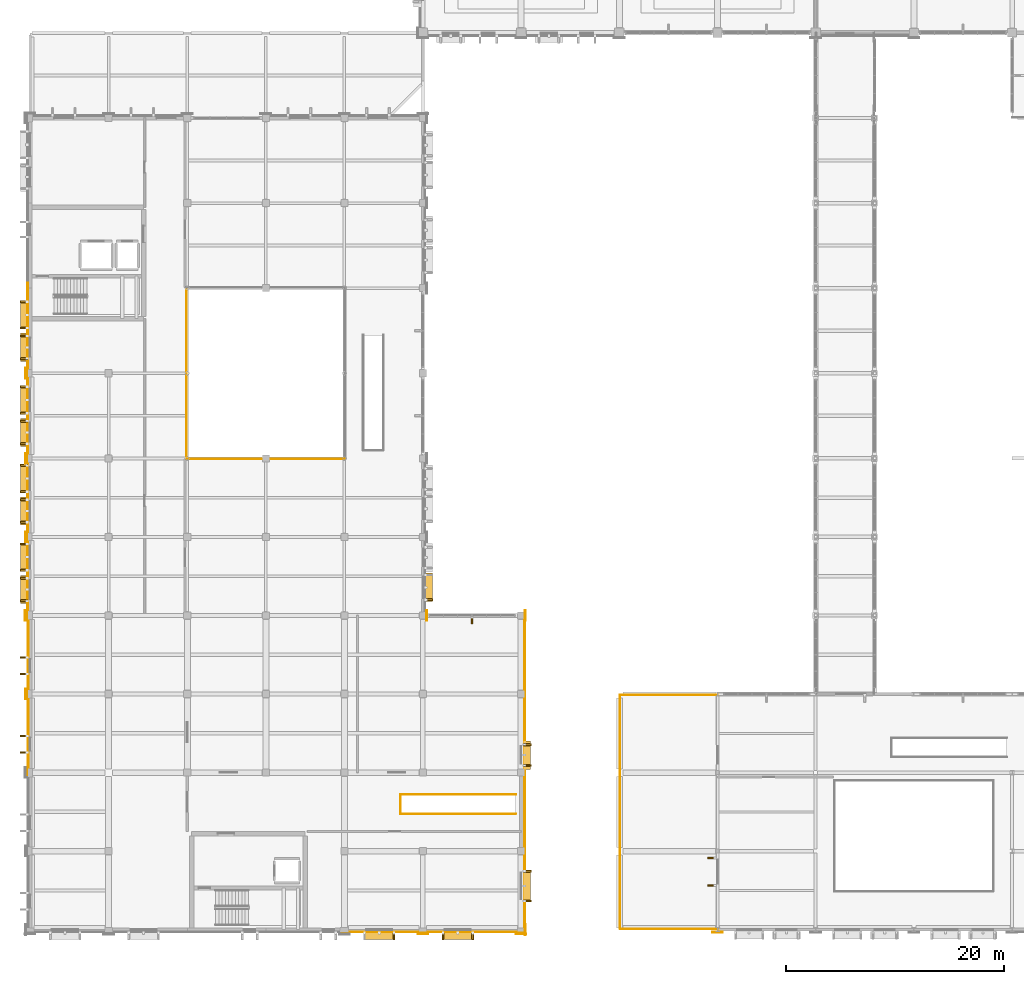
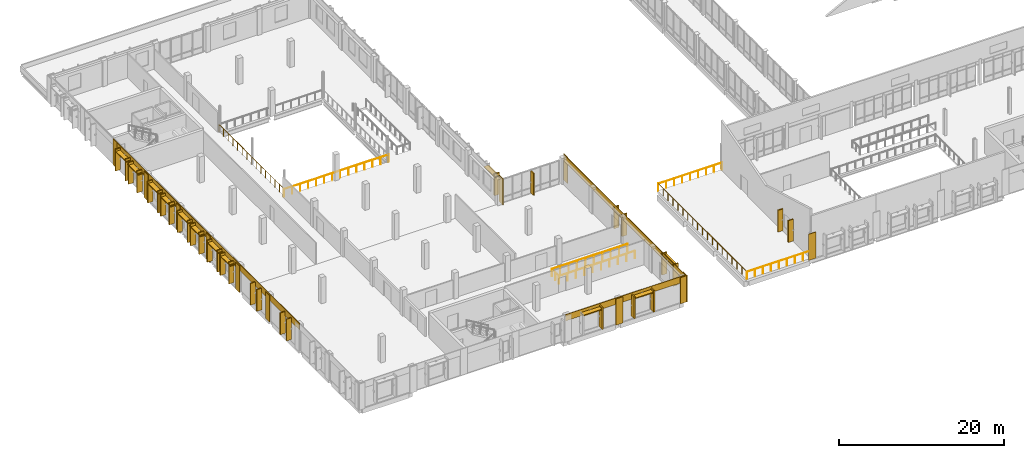
# One storey, part 72 of 85: 44 shading devices, 21 coverings, 8 railings.
"""IFC4 building model written with IfcOpenShell, lengths in metres."""

from ifc_helpers import new_model, si_unit, direction, frame, origin, origin_2d, place, context, subcontext, project, spatial, rectangle, circle, extrude, material, layer, layer_set, type_object, element, save


model = new_model("IFC4")

# Units and contexts
model_context = context("Model", 3, precision=1e-05, world=origin(), true_north=direction((0.0, 1.0)))
body_context = subcontext(model_context, "Body", "Model", "MODEL_VIEW")
ifc_project = project(units=[si_unit("LENGTHUNIT", "METRE"), si_unit("AREAUNIT", "SQUARE_METRE"), si_unit("VOLUMEUNIT", "CUBIC_METRE"), si_unit("PLANEANGLEUNIT", "RADIAN"), si_unit("MASSUNIT", "GRAM", prefix="KILO")], contexts=[model_context])

# Site, building, storey
site_placement = place(None, origin())
site = spatial("IfcSite", under=ifc_project, at=site_placement, CompositionType="ELEMENT")
building_placement = place(site_placement, origin())
building = spatial("IfcBuilding", under=site, at=building_placement, Name="Vervanel Yard Central Library", CompositionType="ELEMENT")
storey_placement = place(building_placement, frame((0.0, 0.0, 5.10009765625)))
storey = spatial("IfcBuildingStorey", under=building, at=storey_placement, Name="L01", CompositionType="ELEMENT", Elevation=5.10009765625)

# Coverings
ifc_material_1 = material(Name="Precast concrete C45/55", Category="concrete")
ifc_layer = layer(ifc_material_1, 0.0849609375, Category="concrete")
ifc_layer_set = layer_set([ifc_layer], Name="Precast concrete C45/55")
covering_type = type_object("IfcCoveringType", Name="Bush-Hammered Precast Architectural Cladding Panel", PredefinedType="CLADDING", material=ifc_layer_set)
covering_1_placement = place(storey_placement, frame((-0.2099609375, 32.39990234375, 2.93017578125), z_axis=(0.0, 0.0, 1.0), x_axis=(0.0, 1.0, 0.0)))
element("IfcCovering", 1, at=covering_1_placement, inside=storey, type_object=covering_type, Name="L01 Precast Concrete Spandrel Cornice EWALL-L01-0098", PredefinedType="CLADDING", context=body_context, shape_type="SweptSolid", body=[
    extrude(rectangle(XDim=7.64990234375, YDim=0.0849609375, at=origin_2d()), origin(), (0.0, 0.0, 1.0), 0.929931640625),
])
for number, where, z_axis, x_axis, name in (
    (2, (-0.4326171875, 28.800048828125, 0.0), (0.0, 0.0, 1.0), (0.0, 1.0, 0.0), "L01 Precast Concrete Pier Pilaster EWALL-L01-0098-A"),
    (3, (-0.392578125, 36.0, 0.0), (0.0, 0.0, 1.0), (0.0, 1.0, 0.0), "L01 Precast Concrete Pier Pilaster EWALL-L01-0098-B"),
):
    element("IfcCovering", number, at=place(storey_placement, frame(where, z_axis=z_axis, x_axis=x_axis)), inside=storey, type_object=covering_type, Name=name, PredefinedType="CLADDING", context=body_context, shape_type="SweptSolid", body=[
        extrude(rectangle(XDim=0.97998046875, YDim=0.0849609375, at=origin_2d()), origin(), (0.0, 0.0, 1.0), 3.860107421875),
    ])
covering_2_placement = place(storey_placement, frame((-0.2099609375, 39.60009765625, 2.93017578125), z_axis=(0.0, 0.0, 1.0), x_axis=(0.0, 1.0, 0.0)))
element("IfcCovering", 4, at=covering_2_placement, inside=storey, type_object=covering_type, Name="L01 Precast Concrete Spandrel Cornice EWALL-L01-0099", PredefinedType="CLADDING", context=body_context, shape_type="SweptSolid", body=[
    extrude(rectangle(XDim=7.64990234375, YDim=0.0849609375, at=origin_2d()), origin(), (0.0, 0.0, 1.0), 0.929931640625),
])
covering_3_placement = place(storey_placement, frame((-0.402587890625, 43.199951171875, 0.0), z_axis=(0.0, 0.0, 1.0), x_axis=(0.0, 1.0, 0.0)))
element("IfcCovering", 5, at=covering_3_placement, inside=storey, type_object=covering_type, Name="L01 Precast Concrete Pier Pilaster EWALL-L01-0099-B", PredefinedType="CLADDING", context=body_context, shape_type="SweptSolid", body=[
    extrude(rectangle(XDim=0.97998046875, YDim=0.0849609375, at=origin_2d()), origin(), (0.0, 0.0, 1.0), 3.860107421875),
])
covering_4_placement = place(storey_placement, frame((-0.2099609375, 47.10009765625, 2.93017578125), z_axis=(0.0, 0.0, 1.0), x_axis=(0.0, 1.0, 0.0)))
element("IfcCovering", 6, at=covering_4_placement, inside=storey, type_object=covering_type, Name="L01 Precast Concrete Spandrel Cornice EWALL-L01-0100", PredefinedType="CLADDING", context=body_context, shape_type="SweptSolid", body=[
    extrude(rectangle(XDim=8.25, YDim=0.0849609375, at=origin_2d()), origin(), (0.0, 0.0, 1.0), 0.929931640625),
])
covering_5_placement = place(storey_placement, frame((-0.392578125, 51.0, 0.0), z_axis=(0.0, 0.0, 1.0), x_axis=(0.0, 1.0, 0.0)))
element("IfcCovering", 7, at=covering_5_placement, inside=storey, type_object=covering_type, Name="L01 Precast Concrete Pier Pilaster EWALL-L01-0100-B", PredefinedType="CLADDING", context=body_context, shape_type="SweptSolid", body=[
    extrude(rectangle(XDim=0.97998046875, YDim=0.0849609375, at=origin_2d()), origin(), (0.0, 0.0, 1.0), 3.860107421875),
])
covering_6_placement = place(storey_placement, frame((-0.2099609375, 54.89990234375, 2.93017578125), z_axis=(0.0, 0.0, 1.0), x_axis=(0.0, 1.0, 0.0)))
element("IfcCovering", 8, at=covering_6_placement, inside=storey, type_object=covering_type, Name="L01 Precast Concrete Spandrel Cornice EWALL-L01-0101", PredefinedType="CLADDING", context=body_context, shape_type="SweptSolid", body=[
    extrude(rectangle(XDim=8.25, YDim=0.0849609375, at=origin_2d()), origin(), (0.0, 0.0, 1.0), 0.929931640625),
])
for number, where, z_axis, x_axis, name in (
    (9, (-0.21240234375, 58.800048828125, 0.0), (0.0, 0.0, 1.0), (0.0, 1.0, 0.0), "L01 Precast Concrete Pier Pilaster EWALL-L01-0101-B"),
    (10, (36.367431640625, 28.800048828125, 0.0), (0.0, 0.0, 1.0), (0.0, 1.0, 0.0), "L01 Precast Concrete Pier Pilaster EWALL-L01-0104-A"),
    (11, (63.0, -0.226806640625, 0.0), (0.0, 0.0, 1.0), (1.0, 0.0, 0.0), "L01 Precast Concrete Pier Pilaster EWALL-L01-0200-A"),
):
    element("IfcCovering", number, at=place(storey_placement, frame(where, z_axis=z_axis, x_axis=x_axis)), inside=storey, type_object=covering_type, Name=name, PredefinedType="CLADDING", context=body_context, shape_type="SweptSolid", body=[
        extrude(rectangle(XDim=0.97998046875, YDim=0.0849609375, at=origin_2d()), origin(), (0.0, 0.0, 1.0), 3.860107421875),
    ])
covering_7_placement = place(storey_placement, frame((32.39990234375, -0.2099609375, 2.93017578125), z_axis=(0.0, 0.0, 1.0), x_axis=(1.0, 0.0, 0.0)))
element("IfcCovering", 12, at=covering_7_placement, inside=storey, type_object=covering_type, Name="L01 Precast Concrete Spandrel Cornice EWALL-L01-0226", PredefinedType="CLADDING", context=body_context, shape_type="SweptSolid", body=[
    extrude(rectangle(XDim=7.64990234375, YDim=0.0849609375, at=origin_2d()), origin(), (0.0, 0.0, 1.0), 0.929931640625),
])
covering_8_placement = place(storey_placement, frame((36.0, -0.392578125, 0.0), z_axis=(0.0, 0.0, 1.0), x_axis=(1.0, 0.0, 0.0)))
element("IfcCovering", 13, at=covering_8_placement, inside=storey, type_object=covering_type, Name="L01 Precast Concrete Pier Pilaster EWALL-L01-0226-B", PredefinedType="CLADDING", context=body_context, shape_type="SweptSolid", body=[
    extrude(rectangle(XDim=0.97998046875, YDim=0.0849609375, at=origin_2d()), origin(), (0.0, 0.0, 1.0), 3.860107421875),
])
covering_9_placement = place(storey_placement, frame((40.5, -0.2099609375, 2.93017578125), z_axis=(0.0, 0.0, 1.0), x_axis=(1.0, 0.0, 0.0)))
element("IfcCovering", 14, at=covering_9_placement, inside=storey, type_object=covering_type, Name="L01 Precast Concrete Spandrel Cornice EWALL-L01-0227", PredefinedType="CLADDING", context=body_context, shape_type="SweptSolid", body=[
    extrude(rectangle(XDim=9.449951171875, YDim=0.0849609375, at=origin_2d()), origin(), (0.0, 0.0, 1.0), 0.929931640625),
])
covering_10_placement = place(storey_placement, frame((45.0, -0.392578125, 0.0), z_axis=(0.0, 0.0, 1.0), x_axis=(1.0, 0.0, 0.0)))
element("IfcCovering", 15, at=covering_10_placement, inside=storey, type_object=covering_type, Name="L01 Precast Concrete Pier Pilaster EWALL-L01-0227-B", PredefinedType="CLADDING", context=body_context, shape_type="SweptSolid", body=[
    extrude(rectangle(XDim=0.97998046875, YDim=0.0849609375, at=origin_2d()), origin(), (0.0, 0.0, 1.0), 3.860107421875),
])
covering_11_placement = place(storey_placement, frame((-0.18994140625, 18.0, 2.93017578125), z_axis=(0.0, 0.0, 1.0), x_axis=(0.0, 1.0, 0.0)))
element("IfcCovering", 16, at=covering_11_placement, inside=storey, type_object=covering_type, Name="L01 Precast Concrete Spandrel Cornice EWALL-L01-0230", PredefinedType="CLADDING", context=body_context, shape_type="SweptSolid", body=[
    extrude(rectangle(XDim=7.64990234375, YDim=0.0849609375, at=origin_2d()), origin(), (0.0, 0.0, 1.0), 0.929931640625),
])
covering_12_placement = place(storey_placement, frame((-0.402587890625, 21.60009765625, 0.0), z_axis=(0.0, 0.0, 1.0), x_axis=(0.0, 1.0, 0.0)))
element("IfcCovering", 17, at=covering_12_placement, inside=storey, type_object=covering_type, Name="L01 Precast Concrete Pier Pilaster EWALL-L01-0230-B", PredefinedType="CLADDING", context=body_context, shape_type="SweptSolid", body=[
    extrude(rectangle(XDim=0.97998046875, YDim=0.0849609375, at=origin_2d()), origin(), (0.0, 0.0, 1.0), 3.860107421875),
])
covering_13_placement = place(storey_placement, frame((-0.18994140625, 25.199951171875, 2.93017578125), z_axis=(0.0, 0.0, 1.0), x_axis=(0.0, 1.0, 0.0)))
element("IfcCovering", 18, at=covering_13_placement, inside=storey, type_object=covering_type, Name="L01 Precast Concrete Spandrel Cornice EWALL-L01-0231", PredefinedType="CLADDING", context=body_context, shape_type="SweptSolid", body=[
    extrude(rectangle(XDim=7.64990234375, YDim=0.0849609375, at=origin_2d()), origin(), (0.0, 0.0, 1.0), 0.929931640625),
])
covering_14_placement = place(storey_placement, frame((45.31494140625, 14.39990234375, 2.93017578125), z_axis=(0.0, 0.0, 1.0), x_axis=(0.0, 1.0, 0.0)))
element("IfcCovering", 19, at=covering_14_placement, inside=storey, type_object=covering_type, Name="L01 Precast Concrete Spandrel Cornice EWALL-L01-0232", PredefinedType="CLADDING", context=body_context, shape_type="SweptSolid", body=[
    extrude(rectangle(XDim=29.25, YDim=0.0849609375, at=origin_2d()), origin(), (0.0, 0.0, 1.0), 0.929931640625),
])
for number, where, z_axis, x_axis, name in (
    (20, (45.392578125, 0.0, 0.0), (0.0, 0.0, 1.0), (0.0, 1.0, 0.0), "L01 Precast Concrete Pier Pilaster EWALL-L01-0232-A"),
    (21, (45.367431640625, 28.800048828125, 0.0), (0.0, 0.0, 1.0), (0.0, 1.0, 0.0), "L01 Precast Concrete Pier Pilaster EWALL-L01-0232-B"),
):
    element("IfcCovering", number, at=place(storey_placement, frame(where, z_axis=z_axis, x_axis=x_axis)), inside=storey, type_object=covering_type, Name=name, PredefinedType="CLADDING", context=body_context, shape_type="SweptSolid", body=[
        extrude(rectangle(XDim=0.97998046875, YDim=0.0849609375, at=origin_2d()), origin(), (0.0, 0.0, 1.0), 3.860107421875),
    ])

# Railings
ifc_material_2 = material(Name="Brushed stainless steel AISI 316", Category="steel")
railing_type_1 = type_object("IfcRailingType", Name="Exterior Terrace Guardrail 1100", PredefinedType="GUARDRAIL", material=ifc_material_2)
railing_1_placement = place(storey_placement, frame((54.080078125, 0.080078125, 0.0)))
element("IfcRailing", 22, at=railing_1_placement, inside=storey, type_object=railing_type_1, Name="L01 L01 Children's Planted Roof Garden Terrace Edge Guard 18", PredefinedType="GUARDRAIL", context=body_context, shape_type="SweptSolid", body=[
    extrude(circle(Radius=0.02392578125, at=origin_2d()), frame((0.0, 0.0, 1.076171875), z_axis=(1.0, 0.0, 0.0), x_axis=(0.0, 1.0, 0.0)), (0.0, 0.0, 1.0), 8.919921875),
    extrude(circle(Radius=0.02099609375, at=origin_2d()), origin(), (0.0, 0.0, 1.0), 1.052001953125),
    extrude(circle(Radius=0.02099609375, at=origin_2d()), frame((1.114990234375, 0.0, 0.0)), (0.0, 0.0, 1.0), 1.052001953125),
    extrude(circle(Radius=0.02099609375, at=origin_2d()), frame((2.22998046875, 0.0, 0.0)), (0.0, 0.0, 1.0), 1.052001953125),
    extrude(circle(Radius=0.02099609375, at=origin_2d()), frame((3.344970703125, 0.0, 0.0)), (0.0, 0.0, 1.0), 1.052001953125),
    extrude(circle(Radius=0.02099609375, at=origin_2d()), frame((4.4599609375, 0.0, 0.0)), (0.0, 0.0, 1.0), 1.052001953125),
    extrude(circle(Radius=0.02099609375, at=origin_2d()), frame((5.574951171875, 0.0, 0.0)), (0.0, 0.0, 1.0), 1.052001953125),
    extrude(circle(Radius=0.02099609375, at=origin_2d()), frame((6.68994140625, 0.0, 0.0)), (0.0, 0.0, 1.0), 1.052001953125),
    extrude(circle(Radius=0.02099609375, at=origin_2d()), frame((7.804931640625, 0.0, 0.0)), (0.0, 0.0, 1.0), 1.052001953125),
    extrude(circle(Radius=0.02099609375, at=origin_2d()), frame((8.919921875, 0.0, 0.0)), (0.0, 0.0, 1.0), 1.052001953125),
])
railing_2_placement = place(storey_placement, frame((54.080078125, 0.080078125, 0.0)))
element("IfcRailing", 23, at=railing_2_placement, inside=storey, type_object=railing_type_1, Name="L01 L01 Children's Planted Roof Garden Terrace Edge Guard 19", PredefinedType="GUARDRAIL", context=body_context, shape_type="SweptSolid", body=[
    extrude(circle(Radius=0.02392578125, at=origin_2d()), frame((0.0, 0.0, 1.076171875), z_axis=(0.0, 1.0, 0.0), x_axis=(-1.0, 0.0, 0.0)), (0.0, 0.0, 1.0), 21.43994140625),
    extrude(circle(Radius=0.02099609375, at=origin_2d()), origin(), (0.0, 0.0, 1.0), 1.052001953125),
    extrude(circle(Radius=0.02099609375, at=origin_2d()), frame((0.0, 1.191162109375, 0.0)), (0.0, 0.0, 1.0), 1.052001953125),
    extrude(circle(Radius=0.02099609375, at=origin_2d()), frame((0.0, 2.38232421875, 0.0)), (0.0, 0.0, 1.0), 1.052001953125),
    extrude(circle(Radius=0.02099609375, at=origin_2d()), frame((0.0, 3.5732421875, 0.0)), (0.0, 0.0, 1.0), 1.052001953125),
    extrude(circle(Radius=0.02099609375, at=origin_2d()), frame((0.0, 4.764404296875, 0.0)), (0.0, 0.0, 1.0), 1.052001953125),
    extrude(circle(Radius=0.02099609375, at=origin_2d()), frame((0.0, 5.95556640625, 0.0)), (0.0, 0.0, 1.0), 1.052001953125),
    extrude(circle(Radius=0.02099609375, at=origin_2d()), frame((0.0, 7.146728515625, 0.0)), (0.0, 0.0, 1.0), 1.052001953125),
    extrude(circle(Radius=0.02099609375, at=origin_2d()), frame((0.0, 8.337646484375, 0.0)), (0.0, 0.0, 1.0), 1.052001953125),
    extrude(circle(Radius=0.02099609375, at=origin_2d()), frame((0.0, 9.52880859375, 0.0)), (0.0, 0.0, 1.0), 1.052001953125),
    extrude(circle(Radius=0.02099609375, at=origin_2d()), frame((0.0, 10.719970703125, 0.0)), (0.0, 0.0, 1.0), 1.052001953125),
    extrude(circle(Radius=0.02099609375, at=origin_2d()), frame((0.0, 11.9111328125, 0.0)), (0.0, 0.0, 1.0), 1.052001953125),
    extrude(circle(Radius=0.02099609375, at=origin_2d()), frame((0.0, 13.102294921875, 0.0)), (0.0, 0.0, 1.0), 1.052001953125),
    extrude(circle(Radius=0.02099609375, at=origin_2d()), frame((0.0, 14.293212890625, 0.0)), (0.0, 0.0, 1.0), 1.052001953125),
    extrude(circle(Radius=0.02099609375, at=origin_2d()), frame((0.0, 15.484375, 0.0)), (0.0, 0.0, 1.0), 1.052001953125),
    extrude(circle(Radius=0.02099609375, at=origin_2d()), frame((0.0, 16.675537109375, 0.0)), (0.0, 0.0, 1.0), 1.052001953125),
    extrude(circle(Radius=0.02099609375, at=origin_2d()), frame((0.0, 17.86669921875, 0.0)), (0.0, 0.0, 1.0), 1.052001953125),
    extrude(circle(Radius=0.02099609375, at=origin_2d()), frame((0.0, 19.0576171875, 0.0)), (0.0, 0.0, 1.0), 1.052001953125),
    extrude(circle(Radius=0.02099609375, at=origin_2d()), frame((0.0, 20.248779296875, 0.0)), (0.0, 0.0, 1.0), 1.052001953125),
    extrude(circle(Radius=0.02099609375, at=origin_2d()), frame((0.0, 21.43994140625, 0.0)), (0.0, 0.0, 1.0), 1.052001953125),
])
railing_3_placement = place(storey_placement, frame((54.080078125, 21.52001953125, 0.0)))
element("IfcRailing", 24, at=railing_3_placement, inside=storey, type_object=railing_type_1, Name="L01 L01 Children's Planted Roof Garden Terrace Edge Guard 20", PredefinedType="GUARDRAIL", context=body_context, shape_type="SweptSolid", body=[
    extrude(circle(Radius=0.02392578125, at=origin_2d()), frame((0.0, 0.0, 1.076171875), z_axis=(1.0, 0.0, 0.0), x_axis=(0.0, 1.0, 0.0)), (0.0, 0.0, 1.0), 8.919921875),
    extrude(circle(Radius=0.02099609375, at=origin_2d()), origin(), (0.0, 0.0, 1.0), 1.052001953125),
    extrude(circle(Radius=0.02099609375, at=origin_2d()), frame((1.114990234375, 0.0, 0.0)), (0.0, 0.0, 1.0), 1.052001953125),
    extrude(circle(Radius=0.02099609375, at=origin_2d()), frame((2.22998046875, 0.0, 0.0)), (0.0, 0.0, 1.0), 1.052001953125),
    extrude(circle(Radius=0.02099609375, at=origin_2d()), frame((3.344970703125, 0.0, 0.0)), (0.0, 0.0, 1.0), 1.052001953125),
    extrude(circle(Radius=0.02099609375, at=origin_2d()), frame((4.4599609375, 0.0, 0.0)), (0.0, 0.0, 1.0), 1.052001953125),
    extrude(circle(Radius=0.02099609375, at=origin_2d()), frame((5.574951171875, 0.0, 0.0)), (0.0, 0.0, 1.0), 1.052001953125),
    extrude(circle(Radius=0.02099609375, at=origin_2d()), frame((6.68994140625, 0.0, 0.0)), (0.0, 0.0, 1.0), 1.052001953125),
    extrude(circle(Radius=0.02099609375, at=origin_2d()), frame((7.804931640625, 0.0, 0.0)), (0.0, 0.0, 1.0), 1.052001953125),
    extrude(circle(Radius=0.02099609375, at=origin_2d()), frame((8.919921875, 0.0, 0.0)), (0.0, 0.0, 1.0), 1.052001953125),
])
railing_type_2 = type_object("IfcRailingType", Name="Glazed Atrium & Gallery Balustrade 1120", PredefinedType="BALUSTRADE", material=ifc_material_2)
railing_4_placement = place(storey_placement, frame((33.93994140625, 10.625, 0.0)))
element("IfcRailing", 25, at=railing_4_placement, inside=storey, type_object=railing_type_2, Name="L01 Void Guard FST-07-L00-WELLGD S", PredefinedType="BALUSTRADE", context=body_context, shape_type="SweptSolid", body=[
    extrude(circle(Radius=0.02392578125, at=origin_2d()), frame((0.0, 0.0, 1.09619140625), z_axis=(1.0, 0.0, 0.0), x_axis=(0.0, 1.0, 0.0)), (0.0, 0.0, 1.0), 10.5849609375),
    extrude(circle(Radius=0.02099609375, at=origin_2d()), origin(), (0.0, 0.0, 1.0), 1.072021484375),
    extrude(circle(Radius=0.02099609375, at=origin_2d()), frame((1.176025390625, 0.0, 0.0)), (0.0, 0.0, 1.0), 1.072021484375),
    extrude(circle(Radius=0.02099609375, at=origin_2d()), frame((2.352294921875, 0.0, 0.0)), (0.0, 0.0, 1.0), 1.072021484375),
    extrude(circle(Radius=0.02099609375, at=origin_2d()), frame((3.5283203125, 0.0, 0.0)), (0.0, 0.0, 1.0), 1.072021484375),
    extrude(circle(Radius=0.02099609375, at=origin_2d()), frame((4.704345703125, 0.0, 0.0)), (0.0, 0.0, 1.0), 1.072021484375),
    extrude(circle(Radius=0.02099609375, at=origin_2d()), frame((5.880615234375, 0.0, 0.0)), (0.0, 0.0, 1.0), 1.072021484375),
    extrude(circle(Radius=0.02099609375, at=origin_2d()), frame((7.056640625, 0.0, 0.0)), (0.0, 0.0, 1.0), 1.072021484375),
    extrude(circle(Radius=0.02099609375, at=origin_2d()), frame((8.232666015625, 0.0, 0.0)), (0.0, 0.0, 1.0), 1.072021484375),
    extrude(circle(Radius=0.02099609375, at=origin_2d()), frame((9.408935546875, 0.0, 0.0)), (0.0, 0.0, 1.0), 1.072021484375),
    extrude(circle(Radius=0.02099609375, at=origin_2d()), frame((10.5849609375, 0.0, 0.0)), (0.0, 0.0, 1.0), 1.072021484375),
])
railing_5_placement = place(storey_placement, frame((44.52490234375, 12.375, 0.0)))
element("IfcRailing", 26, at=railing_5_placement, inside=storey, type_object=railing_type_2, Name="L01 Void Guard FST-07-L00-WELLGD N", PredefinedType="BALUSTRADE", context=body_context, shape_type="SweptSolid", body=[
    extrude(circle(Radius=0.02392578125, at=origin_2d()), frame((0.0, 0.0, 1.09619140625), z_axis=(-1.0, 0.0, 0.0), x_axis=(0.0, -1.0, 0.0)), (0.0, 0.0, 1.0), 10.5849609375),
    extrude(circle(Radius=0.02099609375, at=origin_2d()), origin(), (0.0, 0.0, 1.0), 1.072021484375),
    extrude(circle(Radius=0.02099609375, at=origin_2d()), frame((-1.176025390625, 0.0, 0.0)), (0.0, 0.0, 1.0), 1.072021484375),
    extrude(circle(Radius=0.02099609375, at=origin_2d()), frame((-2.352294921875, 0.0, 0.0)), (0.0, 0.0, 1.0), 1.072021484375),
    extrude(circle(Radius=0.02099609375, at=origin_2d()), frame((-3.5283203125, 0.0, 0.0)), (0.0, 0.0, 1.0), 1.072021484375),
    extrude(circle(Radius=0.02099609375, at=origin_2d()), frame((-4.704345703125, 0.0, 0.0)), (0.0, 0.0, 1.0), 1.072021484375),
    extrude(circle(Radius=0.02099609375, at=origin_2d()), frame((-5.880615234375, 0.0, 0.0)), (0.0, 0.0, 1.0), 1.072021484375),
    extrude(circle(Radius=0.02099609375, at=origin_2d()), frame((-7.056640625, 0.0, 0.0)), (0.0, 0.0, 1.0), 1.072021484375),
    extrude(circle(Radius=0.02099609375, at=origin_2d()), frame((-8.232666015625, 0.0, 0.0)), (0.0, 0.0, 1.0), 1.072021484375),
    extrude(circle(Radius=0.02099609375, at=origin_2d()), frame((-9.408935546875, 0.0, 0.0)), (0.0, 0.0, 1.0), 1.072021484375),
    extrude(circle(Radius=0.02099609375, at=origin_2d()), frame((-10.5849609375, 0.0, 0.0)), (0.0, 0.0, 1.0), 1.072021484375),
])
railing_6_placement = place(storey_placement, frame((33.93994140625, 12.375, 0.0)))
element("IfcRailing", 27, at=railing_6_placement, inside=storey, type_object=railing_type_2, Name="L01 Void Guard FST-07-L00-WELLGD W", PredefinedType="BALUSTRADE", context=body_context, shape_type="SweptSolid", body=[
    extrude(circle(Radius=0.02392578125, at=origin_2d()), frame((0.0, 0.0, 1.09619140625), z_axis=(0.0, -1.0, 0.0), x_axis=(1.0, 0.0, 0.0)), (0.0, 0.0, 1.0), 1.75),
    extrude(circle(Radius=0.02099609375, at=origin_2d()), origin(), (0.0, 0.0, 1.0), 1.072021484375),
    extrude(circle(Radius=0.02099609375, at=origin_2d()), frame((0.0, -0.875, 0.0)), (0.0, 0.0, 1.0), 1.072021484375),
    extrude(circle(Radius=0.02099609375, at=origin_2d()), frame((0.0, -1.75, 0.0)), (0.0, 0.0, 1.0), 1.072021484375),
])
railing_7_placement = place(storey_placement, frame((14.320068359375, 43.1201171875, 0.0)))
element("IfcRailing", 28, at=railing_7_placement, inside=storey, type_object=railing_type_2, Name="L01 Void Guard ATRIUM-GD-L01 S", PredefinedType="BALUSTRADE", context=body_context, shape_type="SweptSolid", body=[
    extrude(circle(Radius=0.02392578125, at=origin_2d()), frame((0.0, 0.0, 1.09619140625), z_axis=(1.0, 0.0, 0.0), x_axis=(0.0, 1.0, 0.0)), (0.0, 0.0, 1.0), 14.559814453125),
    extrude(circle(Radius=0.02099609375, at=origin_2d()), origin(), (0.0, 0.0, 1.0), 1.072021484375),
    extrude(circle(Radius=0.02099609375, at=origin_2d()), frame((1.119873046875, 0.0, 0.0)), (0.0, 0.0, 1.0), 1.072021484375),
    extrude(circle(Radius=0.02099609375, at=origin_2d()), frame((2.239990234375, 0.0, 0.0)), (0.0, 0.0, 1.0), 1.072021484375),
    extrude(circle(Radius=0.02099609375, at=origin_2d()), frame((3.35986328125, 0.0, 0.0)), (0.0, 0.0, 1.0), 1.072021484375),
    extrude(circle(Radius=0.02099609375, at=origin_2d()), frame((4.47998046875, 0.0, 0.0)), (0.0, 0.0, 1.0), 1.072021484375),
    extrude(circle(Radius=0.02099609375, at=origin_2d()), frame((5.599853515625, 0.0, 0.0)), (0.0, 0.0, 1.0), 1.072021484375),
    extrude(circle(Radius=0.02099609375, at=origin_2d()), frame((6.719970703125, 0.0, 0.0)), (0.0, 0.0, 1.0), 1.072021484375),
    extrude(circle(Radius=0.02099609375, at=origin_2d()), frame((7.83984375, 0.0, 0.0)), (0.0, 0.0, 1.0), 1.072021484375),
    extrude(circle(Radius=0.02099609375, at=origin_2d()), frame((8.9599609375, 0.0, 0.0)), (0.0, 0.0, 1.0), 1.072021484375),
    extrude(circle(Radius=0.02099609375, at=origin_2d()), frame((10.079833984375, 0.0, 0.0)), (0.0, 0.0, 1.0), 1.072021484375),
    extrude(circle(Radius=0.02099609375, at=origin_2d()), frame((11.199951171875, 0.0, 0.0)), (0.0, 0.0, 1.0), 1.072021484375),
    extrude(circle(Radius=0.02099609375, at=origin_2d()), frame((12.31982421875, 0.0, 0.0)), (0.0, 0.0, 1.0), 1.072021484375),
    extrude(circle(Radius=0.02099609375, at=origin_2d()), frame((13.43994140625, 0.0, 0.0)), (0.0, 0.0, 1.0), 1.072021484375),
    extrude(circle(Radius=0.02099609375, at=origin_2d()), frame((14.559814453125, 0.0, 0.0)), (0.0, 0.0, 1.0), 1.072021484375),
])
railing_8_placement = place(storey_placement, frame((14.320068359375, 58.8798828125, 0.0)))
element("IfcRailing", 29, at=railing_8_placement, inside=storey, type_object=railing_type_2, Name="L01 Void Guard ATRIUM-GD-L01 W", PredefinedType="BALUSTRADE", context=body_context, shape_type="SweptSolid", body=[
    extrude(circle(Radius=0.02392578125, at=origin_2d()), frame((0.0, 0.0, 1.09619140625), z_axis=(0.0, -1.0, 0.0), x_axis=(1.0, 0.0, 0.0)), (0.0, 0.0, 1.0), 15.759765625),
    extrude(circle(Radius=0.02099609375, at=origin_2d()), origin(), (0.0, 0.0, 1.0), 1.072021484375),
    extrude(circle(Radius=0.02099609375, at=origin_2d()), frame((0.0, -1.125732421875, 0.0)), (0.0, 0.0, 1.0), 1.072021484375),
    extrude(circle(Radius=0.02099609375, at=origin_2d()), frame((0.0, -2.25146484375, 0.0)), (0.0, 0.0, 1.0), 1.072021484375),
    extrude(circle(Radius=0.02099609375, at=origin_2d()), frame((0.0, -3.377197265625, 0.0)), (0.0, 0.0, 1.0), 1.072021484375),
    extrude(circle(Radius=0.02099609375, at=origin_2d()), frame((0.0, -4.502685546875, 0.0)), (0.0, 0.0, 1.0), 1.072021484375),
    extrude(circle(Radius=0.02099609375, at=origin_2d()), frame((0.0, -5.62841796875, 0.0)), (0.0, 0.0, 1.0), 1.072021484375),
    extrude(circle(Radius=0.02099609375, at=origin_2d()), frame((0.0, -6.754150390625, 0.0)), (0.0, 0.0, 1.0), 1.072021484375),
    extrude(circle(Radius=0.02099609375, at=origin_2d()), frame((0.0, -7.8798828125, 0.0)), (0.0, 0.0, 1.0), 1.072021484375),
    extrude(circle(Radius=0.02099609375, at=origin_2d()), frame((0.0, -9.005615234375, 0.0)), (0.0, 0.0, 1.0), 1.072021484375),
    extrude(circle(Radius=0.02099609375, at=origin_2d()), frame((0.0, -10.13134765625, 0.0)), (0.0, 0.0, 1.0), 1.072021484375),
    extrude(circle(Radius=0.02099609375, at=origin_2d()), frame((0.0, -11.257080078125, 0.0)), (0.0, 0.0, 1.0), 1.072021484375),
    extrude(circle(Radius=0.02099609375, at=origin_2d()), frame((0.0, -12.382568359375, 0.0)), (0.0, 0.0, 1.0), 1.072021484375),
    extrude(circle(Radius=0.02099609375, at=origin_2d()), frame((0.0, -13.50830078125, 0.0)), (0.0, 0.0, 1.0), 1.072021484375),
    extrude(circle(Radius=0.02099609375, at=origin_2d()), frame((0.0, -14.634033203125, 0.0)), (0.0, 0.0, 1.0), 1.072021484375),
    extrude(circle(Radius=0.02099609375, at=origin_2d()), frame((0.0, -15.759765625, 0.0)), (0.0, 0.0, 1.0), 1.072021484375),
])

# Shading devices
shading_device_type_1 = type_object("IfcShadingDeviceType", Name="Horizontal Precast Brise-Soleil Sunhood 2600x680x140", PredefinedType="JALOUSIE", material=ifc_material_1)
for number, where, z_axis, x_axis, name in (
    (30, (-0.5400390625, 31.175048828125, 3.02978515625), (0.0, 0.0, 1.0), (0.0, 1.0, 0.0), "L01 Precast Horizontal Sunhood 36"),
    (31, (-0.5400390625, 34.14990234375, 3.1298828125), (0.0, 0.0, 1.0), (0.0, 1.0, 0.0), "L01 Precast Horizontal Sunhood 37"),
    (32, (-0.5400390625, 38.375, 3.02978515625), (0.0, 0.0, 1.0), (0.0, 1.0, 0.0), "L01 Precast Horizontal Sunhood 38"),
    (33, (-0.5400390625, 41.35009765625, 3.1298828125), (0.0, 0.0, 1.0), (0.0, 1.0, 0.0), "L01 Precast Horizontal Sunhood 39"),
    (34, (-0.5400390625, 45.574951171875, 3.02978515625), (0.0, 0.0, 1.0), (0.0, 1.0, 0.0), "L01 Precast Horizontal Sunhood 40"),
    (35, (-0.5400390625, 48.550048828125, 3.1298828125), (0.0, 0.0, 1.0), (0.0, 1.0, 0.0), "L01 Precast Horizontal Sunhood 41"),
    (36, (-0.5400390625, 53.375, 3.02978515625), (0.0, 0.0, 1.0), (0.0, 1.0, 0.0), "L01 Precast Horizontal Sunhood 42"),
    (37, (-0.5400390625, 56.35009765625, 3.1298828125), (0.0, 0.0, 1.0), (0.0, 1.0, 0.0), "L01 Precast Horizontal Sunhood 43"),
    (38, (36.52001953125, 31.375, 2.97998046875), (0.0, 0.0, 1.0), (0.0, 1.0, 0.0), "L01 Precast Horizontal Sunhood 46"),
    (39, (32.0, -0.5400390625, 3.27978515625), (0.0, 0.0, 1.0), (1.0, 0.0, 0.0), "L01 Precast Horizontal Sunhood 130"),
    (40, (39.199951171875, -0.5400390625, 3.27978515625), (0.0, 0.0, 1.0), (1.0, 0.0, 0.0), "L01 Precast Horizontal Sunhood 131"),
    (41, (45.5400390625, 4.0, 3.330078125), (0.0, 0.0, 1.0), (0.0, 1.0, 0.0), "L01 Precast Horizontal Sunhood 132"),
    (42, (45.5400390625, 16.0, 2.97998046875), (0.0, 0.0, 1.0), (0.0, 1.0, 0.0), "L01 Precast Horizontal Sunhood 133"),
):
    element("IfcShadingDevice", number, at=place(storey_placement, frame(where, z_axis=z_axis, x_axis=x_axis)), inside=storey, type_object=shading_device_type_1, Name=name, PredefinedType="JALOUSIE", context=body_context, shape_type="SweptSolid", body=[
        extrude(rectangle(XDim=2.60009765625, YDim=0.679931640625, at=origin_2d()), origin(), (0.0, 0.0, 1.0), 0.139892578125),
    ])
shading_device_type_2 = type_object("IfcShadingDeviceType", Name="Vertical Precast Solar Fin 160x720x3200", PredefinedType="JALOUSIE", material=ifc_material_1)
for number, where, z_axis, x_axis, name in (
    (43, (-0.570068359375, 30.139892578125, 0.32470703125), (0.0, 0.0, 1.0), (0.0, 1.0, 0.0), "L01 Precast Solar Fin 259"),
    (44, (-0.570068359375, 32.2099609375, 0.32470703125), (0.0, 0.0, 1.0), (0.0, 1.0, 0.0), "L01 Precast Solar Fin 260"),
    (45, (-0.570068359375, 32.93994140625, 0.375), (0.0, 0.0, 1.0), (0.0, 1.0, 0.0), "L01 Precast Solar Fin 261"),
    (46, (-0.570068359375, 35.360107421875, 0.375), (0.0, 0.0, 1.0), (0.0, 1.0, 0.0), "L01 Precast Solar Fin 262"),
    (47, (-0.570068359375, 37.340087890625, 0.32470703125), (0.0, 0.0, 1.0), (0.0, 1.0, 0.0), "L01 Precast Solar Fin 263"),
    (48, (-0.570068359375, 39.409912109375, 0.32470703125), (0.0, 0.0, 1.0), (0.0, 1.0, 0.0), "L01 Precast Solar Fin 264"),
    (49, (-0.570068359375, 40.139892578125, 0.375), (0.0, 0.0, 1.0), (0.0, 1.0, 0.0), "L01 Precast Solar Fin 265"),
    (50, (-0.570068359375, 42.56005859375, 0.375), (0.0, 0.0, 1.0), (0.0, 1.0, 0.0), "L01 Precast Solar Fin 266"),
    (51, (-0.570068359375, 44.5400390625, 0.32470703125), (0.0, 0.0, 1.0), (0.0, 1.0, 0.0), "L01 Precast Solar Fin 267"),
    (52, (-0.570068359375, 46.610107421875, 0.32470703125), (0.0, 0.0, 1.0), (0.0, 1.0, 0.0), "L01 Precast Solar Fin 268"),
    (53, (-0.570068359375, 47.340087890625, 0.375), (0.0, 0.0, 1.0), (0.0, 1.0, 0.0), "L01 Precast Solar Fin 269"),
    (54, (-0.570068359375, 49.760009765625, 0.375), (0.0, 0.0, 1.0), (0.0, 1.0, 0.0), "L01 Precast Solar Fin 270"),
    (55, (-0.570068359375, 52.340087890625, 0.32470703125), (0.0, 0.0, 1.0), (0.0, 1.0, 0.0), "L01 Precast Solar Fin 271"),
    (56, (-0.570068359375, 54.409912109375, 0.32470703125), (0.0, 0.0, 1.0), (0.0, 1.0, 0.0), "L01 Precast Solar Fin 272"),
    (57, (-0.570068359375, 55.139892578125, 0.375), (0.0, 0.0, 1.0), (0.0, 1.0, 0.0), "L01 Precast Solar Fin 273"),
    (58, (-0.570068359375, 57.56005859375, 0.375), (0.0, 0.0, 1.0), (0.0, 1.0, 0.0), "L01 Precast Solar Fin 274"),
    (59, (36.550048828125, 30.239990234375, 0.2998046875), (0.0, 0.0, 1.0), (0.0, 1.0, 0.0), "L01 Precast Solar Fin 281"),
    (60, (62.469970703125, 4.0400390625, 0.22509765625), (0.0, 0.0, 1.0), (0.0, 1.0, 0.0), "L01 Precast Solar Fin 606"),
    (61, (62.469970703125, 6.56005859375, 0.22509765625), (0.0, 0.0, 1.0), (0.0, 1.0, 0.0), "L01 Precast Solar Fin 607"),
    (62, (33.360107421875, -0.570068359375, 0.44970703125), (0.0, 0.0, 1.0), (1.0, 0.0, 0.0), "L01 Precast Solar Fin 643"),
    (63, (37.840087890625, -0.570068359375, 0.44970703125), (0.0, 0.0, 1.0), (1.0, 0.0, 0.0), "L01 Precast Solar Fin 644"),
    (64, (40.56005859375, -0.570068359375, 0.44970703125), (0.0, 0.0, 1.0), (1.0, 0.0, 0.0), "L01 Precast Solar Fin 645"),
    (65, (-0.550048828125, 16.239990234375, 0.35009765625), (0.0, 0.0, 1.0), (0.0, 1.0, 0.0), "L01 Precast Solar Fin 650"),
    (66, (-0.550048828125, 17.760009765625, 0.35009765625), (0.0, 0.0, 1.0), (0.0, 1.0, 0.0), "L01 Precast Solar Fin 651"),
    (67, (-0.550048828125, 23.43994140625, 0.35009765625), (0.0, 0.0, 1.0), (0.0, 1.0, 0.0), "L01 Precast Solar Fin 652"),
    (68, (-0.550048828125, 24.9599609375, 0.35009765625), (0.0, 0.0, 1.0), (0.0, 1.0, 0.0), "L01 Precast Solar Fin 653"),
    (69, (45.570068359375, 2.639892578125, 0.5), (0.0, 0.0, 1.0), (0.0, 1.0, 0.0), "L01 Precast Solar Fin 654"),
    (70, (45.570068359375, 5.360107421875, 0.5), (0.0, 0.0, 1.0), (0.0, 1.0, 0.0), "L01 Precast Solar Fin 655"),
    (71, (45.570068359375, 15.0400390625, 0.32470703125), (0.0, 0.0, 1.0), (0.0, 1.0, 0.0), "L01 Precast Solar Fin 656"),
    (72, (45.570068359375, 16.9599609375, 0.32470703125), (0.0, 0.0, 1.0), (0.0, 1.0, 0.0), "L01 Precast Solar Fin 657"),
    (73, (40.5, 28.389892578125, 0.1650390625), (0.0, 0.0, 1.0), (1.0, 0.0, 0.0), "L01 Precast Solar Fin 658"),
):
    element("IfcShadingDevice", number, at=place(storey_placement, frame(where, z_axis=z_axis, x_axis=x_axis)), inside=storey, type_object=shading_device_type_2, Name=name, PredefinedType="JALOUSIE", context=body_context, shape_type="SweptSolid", body=[
        extrude(rectangle(XDim=0.159912109375, YDim=0.719970703125, at=origin_2d()), origin(), (0.0, 0.0, 1.0), 3.199951171875),
    ])

save(model, "model.ifc")
